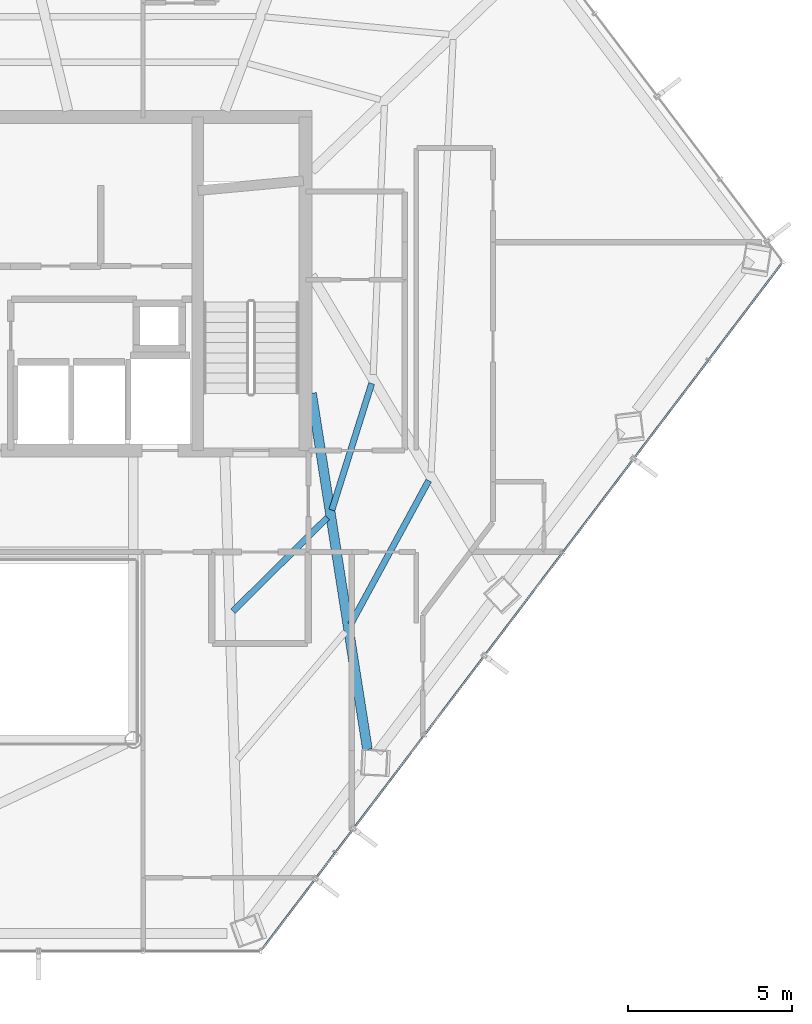
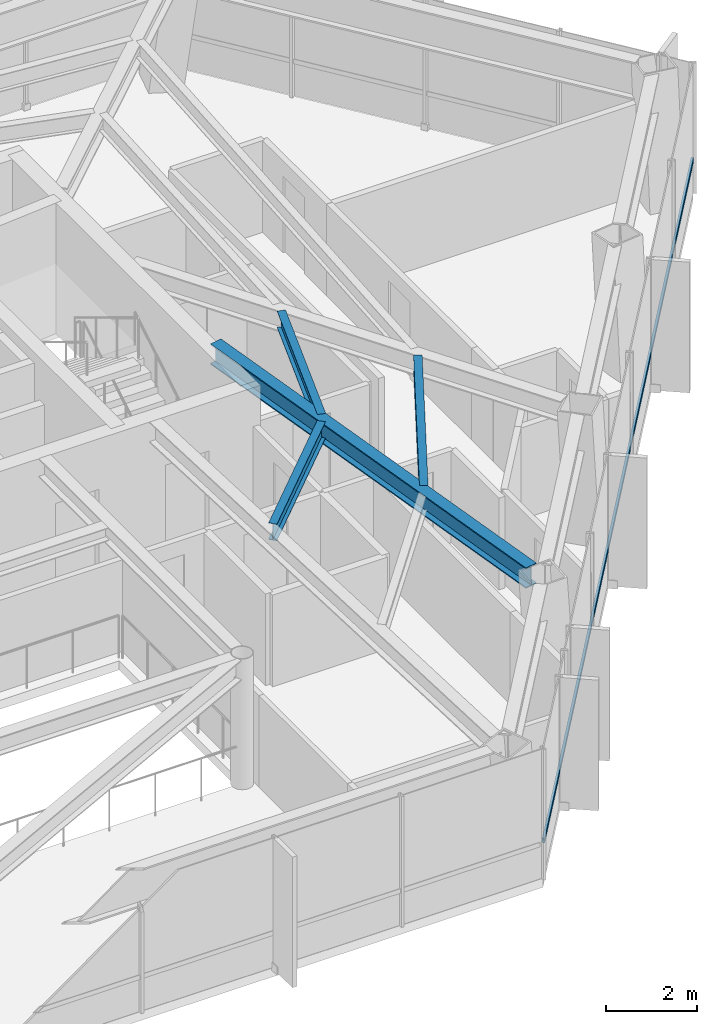
# One storey, part 18 of 29: 4 beams, 1 member, 1 element without a shape of its own.
"""IFC4 building model written with IfcOpenShell, lengths in metres."""

from ifc_helpers import new_model, si_unit, direction, frame, origin, origin_2d, place, context, subcontext, project, spatial, hollow_rectangle, i_section, extrude, material, layer, layer_set, material_profile, profile_set, type_object, element, aggregate, save


model = new_model("IFC4")

# Units and contexts
model_context = context("Model", 3, precision=1e-05, world=origin(), true_north=direction((0.0, 1.0)))
body_context = subcontext(model_context, "Body", "Model", "MODEL_VIEW")
ifc_project = project(units=[si_unit("LENGTHUNIT", "METRE"), si_unit("AREAUNIT", "SQUARE_METRE"), si_unit("VOLUMEUNIT", "CUBIC_METRE"), si_unit("PLANEANGLEUNIT", "RADIAN"), si_unit("MASSUNIT", "GRAM", prefix="KILO")], contexts=[model_context])

# Site, building, storey
site_placement = place(None, origin())
site = spatial("IfcSite", under=ifc_project, at=site_placement, CompositionType="ELEMENT")
building_placement = place(site_placement, origin())
building = spatial("IfcBuilding", under=site, at=building_placement, Name="Zarrinselat Tower", CompositionType="ELEMENT")
storey_placement = place(building_placement, frame((0.0, 0.0, 142.1201171875)))
storey = spatial("IfcBuildingStorey", under=building, at=storey_placement, Name="L34", CompositionType="ELEMENT", Elevation=142.1201171875)

# Beams
ifc_material_1 = material(Name="Steel S355J2", Category="steel")
ifc_material_profile_1 = material_profile(ifc_material_1, i_section(OverallWidth=0.300048828125, OverallDepth=0.550048828125, WebThickness=0.014892578125, FlangeThickness=0.029052734375, at=origin_2d()), Name="HEB 550")
ifc_profile_set_1 = profile_set([ifc_material_profile_1], Name="Steel S355J2")
beam_type_1 = type_object("IfcBeamType", Name="BM-HEB550", PredefinedType="BEAM", material=ifc_profile_set_1)
beam_1_placement = place(storey_placement, frame((48.449951171875, 35.0, 3.224853515625), z_axis=(0.154967345006, -0.987919592873, 0.0), x_axis=(0.987919592873, 0.154967345006, 0.0)))
element("IfcBeam", 1, at=beam_1_placement, inside=storey, type_object=beam_type_1, Name="L34 Radial Primary Girder RG12", PredefinedType="BEAM", context=body_context, shape_type="SweptSolid", body=[
    extrude(i_section(OverallWidth=0.300048828125, OverallDepth=0.550048828125, WebThickness=0.014892578125, FlangeThickness=0.029052734375, at=origin_2d()), origin(), (0.0, 0.0, 1.0), 11.023193359375),
])
ifc_material_2 = material(Name="Steel S355J2", Category="steel")
ifc_material_profile_2 = material_profile(ifc_material_2, i_section(OverallWidth=0.18994140625, OverallDepth=0.449951171875, WebThickness=0.009521484375, FlangeThickness=0.0146484375, at=origin_2d()), Name="IPE 450")
ifc_profile_set_2 = profile_set([ifc_material_profile_2], Name="Steel S355J2")
beam_type_2 = type_object("IfcBeamType", Name="BM-IPE450", PredefinedType="JOIST", material=ifc_profile_set_2)
beam_2_placement = place(storey_placement, frame((46.050537109375, 28.338623046875, 3.27490234375), z_axis=(0.709658133739, 0.704546189556, 0.0), x_axis=(-0.704546189556, 0.709658133739, 0.0)))
element("IfcBeam", 2, at=beam_2_placement, inside=storey, type_object=beam_type_2, Name="L34 Composite Floor Joist 3-2", PredefinedType="JOIST", context=body_context, shape_type="SweptSolid", body=[
    extrude(i_section(OverallWidth=0.18994140625, OverallDepth=0.449951171875, WebThickness=0.009521484375, FlangeThickness=0.0146484375, at=origin_2d()), origin(), (0.0, 0.0, 1.0), 4.0595703125),
])
beam_3_placement = place(storey_placement, frame((49.644287109375, 27.935546875, 3.27490234375), z_axis=(0.477230770349, 0.878778010553, 0.0), x_axis=(-0.878778010553, 0.477230770349, 0.0)))
element("IfcBeam", 3, at=beam_3_placement, inside=storey, type_object=beam_type_2, Name="L34 Composite Floor Joist 4-1", PredefinedType="JOIST", context=body_context, shape_type="SweptSolid", body=[
    extrude(i_section(OverallWidth=0.18994140625, OverallDepth=0.449951171875, WebThickness=0.009521484375, FlangeThickness=0.0146484375, at=origin_2d()), origin(), (0.0, 0.0, 1.0), 5.003173828125),
])
beam_4_placement = place(storey_placement, frame((49.07275390625, 31.430908203125, 3.27490234375), z_axis=(0.299549572909, 0.954080737343, 0.0), x_axis=(-0.954080737343, 0.299549572909, 0.0)))
element("IfcBeam", 4, at=beam_4_placement, inside=storey, type_object=beam_type_2, Name="L34 Composite Floor Joist 4-2", PredefinedType="JOIST", context=body_context, shape_type="SweptSolid", body=[
    extrude(i_section(OverallWidth=0.18994140625, OverallDepth=0.449951171875, WebThickness=0.009521484375, FlangeThickness=0.0146484375, at=origin_2d()), origin(), (0.0, 0.0, 1.0), 4.056396484375),
])

# Curtain wall, member
ifc_material_3 = material(Name="Extruded Aluminium Alloy EN AW-6063 T6", Category="aluminium")
ifc_layer = layer(ifc_material_3, 0.175048828125)
ifc_layer_set = layer_set([ifc_layer], Name="Extruded Aluminium Alloy EN AW-6063 T6")
curtain_wall_type = type_object("IfcCurtainWallType", Name="CWS-HTL", PredefinedType="NOTDEFINED", material=ifc_layer_set)
curtain_wall_placement = place(storey_placement, origin())
curtain_wall = element("IfcCurtainWall", 5, at=curtain_wall_placement, inside=storey, type_object=curtain_wall_type, Name="L34 Unitised Curtain Wall CW-L34-E05", PredefinedType="NOTDEFINED")
ifc_material_4 = material(Name="Extruded Aluminium Alloy EN AW-6063 T6", Category="aluminium")
ifc_material_profile_3 = material_profile(ifc_material_4, hollow_rectangle(XDim=0.06005859375, YDim=0.1201171875, WallThickness=0.00390625, at=origin_2d()), Name="RHS 120x60x4")
ifc_profile_set_3 = profile_set([ifc_material_profile_3], Name="Extruded Aluminium Alloy EN AW-6063 T6")
member_type = type_object("IfcMemberType", Name="MEM-CW-TRN2", PredefinedType="USERDEFINED", material=ifc_profile_set_3)
member_placement = place(storey_placement, frame((46.951171875, 18.017578125, 0.949951171875), z_axis=(0.603856255958, 0.797093233029, 0.0), x_axis=(-0.797093233029, 0.603856255958, 0.0)))
member = element("IfcMember", 6, at=member_placement, type_object=member_type, Name="CW-L34-E05 Transom 1", ObjectType="TRANSOM", PredefinedType="USERDEFINED", context=body_context, shape_type="SweptSolid", body=[
    extrude(hollow_rectangle(XDim=0.06005859375, YDim=0.1201171875, WallThickness=0.00390625, at=origin_2d()), origin(), (0.0, 0.0, 1.0), 26.259033203125),
])
aggregate(curtain_wall, [member])

save(model, "model.ifc")
